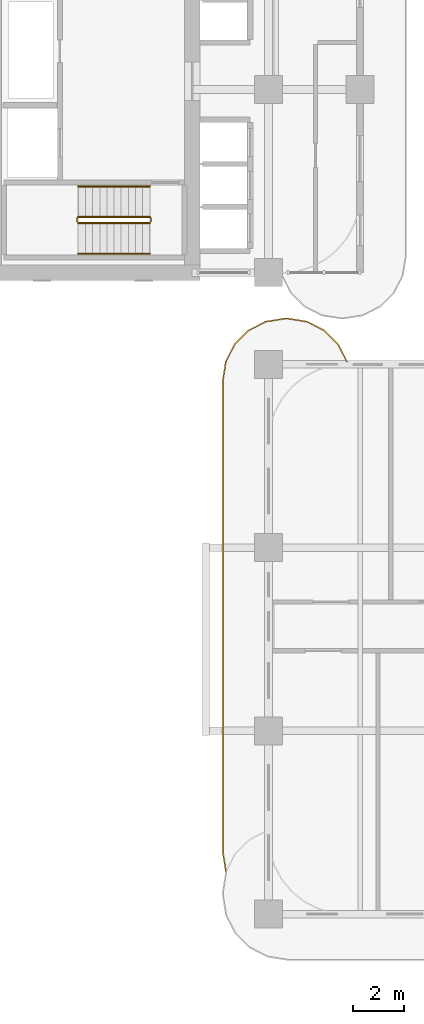
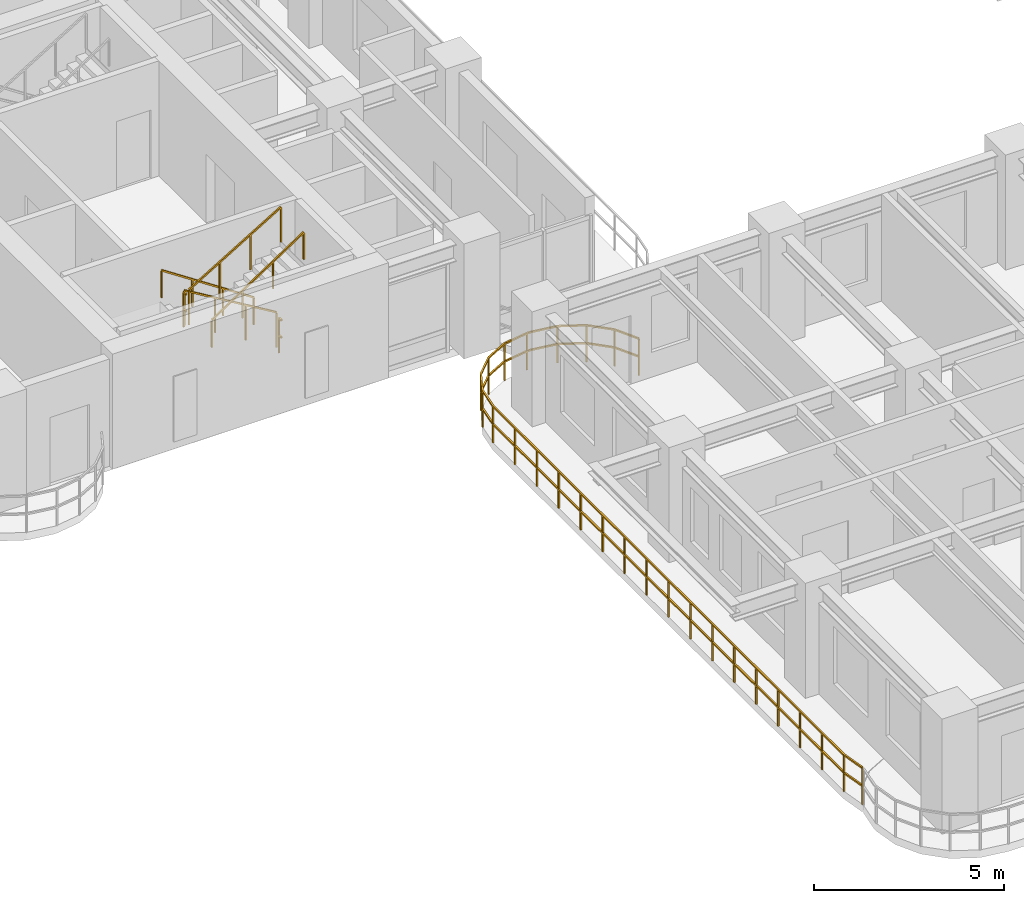
# One storey, part 12 of 18: 7 railings.
"""IFC4 building model written with IfcOpenShell, lengths in metres."""

from ifc_helpers import new_model, si_unit, derived_unit, direction, frame, origin, origin_2d, place, context, subcontext, project, spatial, rectangle, extrude, material, type_object, element, save


model = new_model("IFC4")

# Units and contexts
model_context = context("Model", 3, precision=1e-05, world=origin(), true_north=direction((0.0, 1.0)))
body_context = subcontext(model_context, "Body", "Model", "MODEL_VIEW")
ifc_project = project(units=[si_unit("LENGTHUNIT", "METRE"), si_unit("AREAUNIT", "SQUARE_METRE"), si_unit("VOLUMEUNIT", "CUBIC_METRE"), si_unit("PLANEANGLEUNIT", "RADIAN"), si_unit("MASSUNIT", "GRAM", prefix="KILO"), si_unit("THERMODYNAMICTEMPERATUREUNIT", "KELVIN"), si_unit("POWERUNIT", "WATT"), derived_unit("THERMALTRANSMITTANCEUNIT", [(si_unit("POWERUNIT", "WATT"), 1), (si_unit("AREAUNIT", "SQUARE_METRE"), -1), (si_unit("THERMODYNAMICTEMPERATUREUNIT", "KELVIN"), -1)])], contexts=[model_context])

# Site, building, storey
site_placement = place(None, origin())
site = spatial("IfcSite", under=ifc_project, at=site_placement, CompositionType="ELEMENT")
building_placement = place(site_placement, origin())
building = spatial("IfcBuilding", under=site, at=building_placement, Name="Zahravan Archway Hotel and Residences", CompositionType="ELEMENT")
storey_placement = place(building_placement, frame((0.0, 0.0, 50.89990234375)))
storey = spatial("IfcBuildingStorey", under=building, at=storey_placement, Name="L11", CompositionType="ELEMENT", Elevation=50.89990234375)

# Railings
ifc_material_1 = material(Name="Bronze & Laminated Glass Balustrade", Category="glass")
railing_type_1 = type_object("IfcRailingType", Name="RL-BAL-1200", PredefinedType="BALUSTRADE", material=ifc_material_1)
railing_1_placement = place(storey_placement, frame((12.719970703125, 1.69287109375, 0.0)))
element("IfcRailing", 1, at=railing_1_placement, inside=storey, type_object=railing_type_1, Name="L11 Balustrade RL-SLB-BAL-L11-WA-1", PredefinedType="BALUSTRADE", context=body_context, shape_type="SweptSolid", body=[
    extrude(rectangle(XDim=0.048095703125, YDim=0.048095703125, at=origin_2d()), frame((0.0, 0.0, 1.17578125), z_axis=(-0.156387811283, 0.987695728695, 0.0), x_axis=(-0.987695728695, -0.156387811283, 0.0)), (0.0, 0.0, 1.0), 0.7666015625),
    extrude(rectangle(XDim=0.048095703125, YDim=0.048095703125, at=origin_2d()), frame((0.0, 0.0, 0.60009765625), z_axis=(-0.156387811283, 0.987695728695, 0.0), x_axis=(-0.987695728695, -0.156387811283, 0.0)), (0.0, 0.0, 1.0), 0.7666015625),
    extrude(rectangle(XDim=0.048095703125, YDim=0.048095703125, at=origin_2d()), frame((-0.119873046875, 0.757080078125, 1.17578125), z_axis=(0.0, 1.0, 0.0), x_axis=(-1.0, 0.0, 0.0)), (0.0, 0.0, 1.0), 18.5),
    extrude(rectangle(XDim=0.048095703125, YDim=0.048095703125, at=origin_2d()), frame((-0.119873046875, 0.757080078125, 0.60009765625), z_axis=(0.0, 1.0, 0.0), x_axis=(-1.0, 0.0, 0.0)), (0.0, 0.0, 1.0), 18.5),
    extrude(rectangle(XDim=0.048095703125, YDim=0.048095703125, at=origin_2d()), frame((-0.119873046875, 19.257080078125, 1.17578125), z_axis=(0.156387811283, 0.987695728695, 0.0), x_axis=(-0.987695728695, 0.156387811283, 0.0)), (0.0, 0.0, 1.0), 0.7666015625),
    extrude(rectangle(XDim=0.048095703125, YDim=0.048095703125, at=origin_2d()), frame((-0.119873046875, 19.257080078125, 0.60009765625), z_axis=(0.156387811283, 0.987695728695, 0.0), x_axis=(-0.987695728695, 0.156387811283, 0.0)), (0.0, 0.0, 1.0), 0.7666015625),
    extrude(rectangle(XDim=0.048095703125, YDim=0.048095703125, at=origin_2d()), frame((0.0, 20.01416015625, 1.17578125), z_axis=(0.453825591531, 0.891090529897, 0.0), x_axis=(-0.891090529897, 0.453825591531, 0.0)), (0.0, 0.0, 1.0), 0.7666015625),
    extrude(rectangle(XDim=0.048095703125, YDim=0.048095703125, at=origin_2d()), frame((0.0, 20.01416015625, 0.60009765625), z_axis=(0.453825591531, 0.891090529897, 0.0), x_axis=(-0.891090529897, 0.453825591531, 0.0)), (0.0, 0.0, 1.0), 0.7666015625),
    extrude(rectangle(XDim=0.048095703125, YDim=0.048095703125, at=origin_2d()), frame((0.347900390625, 20.697265625, 1.17578125), z_axis=(0.707106781187, 0.707106781187, 0.0), x_axis=(-0.707106781187, 0.707106781187, 0.0)), (0.0, 0.0, 1.0), 0.7666015625),
    extrude(rectangle(XDim=0.048095703125, YDim=0.048095703125, at=origin_2d()), frame((0.347900390625, 20.697265625, 0.60009765625), z_axis=(0.707106781187, 0.707106781187, 0.0), x_axis=(-0.707106781187, 0.707106781187, 0.0)), (0.0, 0.0, 1.0), 0.7666015625),
    extrude(rectangle(XDim=0.048095703125, YDim=0.048095703125, at=origin_2d()), frame((0.889892578125, 21.2392578125, 1.17578125), z_axis=(0.891090529897, 0.453825591531, 0.0), x_axis=(-0.453825591531, 0.891090529897, 0.0)), (0.0, 0.0, 1.0), 0.7666015625),
    extrude(rectangle(XDim=0.048095703125, YDim=0.048095703125, at=origin_2d()), frame((0.889892578125, 21.2392578125, 0.60009765625), z_axis=(0.891090529897, 0.453825591531, 0.0), x_axis=(-0.453825591531, 0.891090529897, 0.0)), (0.0, 0.0, 1.0), 0.7666015625),
    extrude(rectangle(XDim=0.048095703125, YDim=0.048095703125, at=origin_2d()), frame((1.572998046875, 21.587158203125, 1.17578125), z_axis=(0.987695728695, 0.156387811283, 0.0), x_axis=(-0.156387811283, 0.987695728695, 0.0)), (0.0, 0.0, 1.0), 0.7666015625),
    extrude(rectangle(XDim=0.048095703125, YDim=0.048095703125, at=origin_2d()), frame((1.572998046875, 21.587158203125, 0.60009765625), z_axis=(0.987695728695, 0.156387811283, 0.0), x_axis=(-0.156387811283, 0.987695728695, 0.0)), (0.0, 0.0, 1.0), 0.7666015625),
    extrude(rectangle(XDim=0.048095703125, YDim=0.048095703125, at=origin_2d()), frame((2.330078125, 21.70703125, 1.17578125), z_axis=(1.0, 0.0, 0.0), x_axis=(0.0, 1.0, 0.0)), (0.0, 0.0, 1.0), 0.099853515625),
    extrude(rectangle(XDim=0.048095703125, YDim=0.048095703125, at=origin_2d()), frame((2.330078125, 21.70703125, 0.60009765625), z_axis=(1.0, 0.0, 0.0), x_axis=(0.0, 1.0, 0.0)), (0.0, 0.0, 1.0), 0.099853515625),
    extrude(rectangle(XDim=0.048095703125, YDim=0.048095703125, at=origin_2d()), frame((2.429931640625, 21.70703125, 1.17578125), z_axis=(0.987695728695, -0.156387811283, 0.0), x_axis=(0.156387811283, 0.987695728695, 0.0)), (0.0, 0.0, 1.0), 0.7666015625),
    extrude(rectangle(XDim=0.048095703125, YDim=0.048095703125, at=origin_2d()), frame((2.429931640625, 21.70703125, 0.60009765625), z_axis=(0.987695728695, -0.156387811283, 0.0), x_axis=(0.156387811283, 0.987695728695, 0.0)), (0.0, 0.0, 1.0), 0.7666015625),
    extrude(rectangle(XDim=0.048095703125, YDim=0.048095703125, at=origin_2d()), frame((3.18701171875, 21.587158203125, 1.17578125), z_axis=(0.891090529897, -0.453825591531, 0.0), x_axis=(0.453825591531, 0.891090529897, 0.0)), (0.0, 0.0, 1.0), 0.7666015625),
    extrude(rectangle(XDim=0.048095703125, YDim=0.048095703125, at=origin_2d()), frame((3.18701171875, 21.587158203125, 0.60009765625), z_axis=(0.891090529897, -0.453825591531, 0.0), x_axis=(0.453825591531, 0.891090529897, 0.0)), (0.0, 0.0, 1.0), 0.7666015625),
    extrude(rectangle(XDim=0.048095703125, YDim=0.048095703125, at=origin_2d()), frame((3.8701171875, 21.2392578125, 1.17578125), z_axis=(0.707106781187, -0.707106781187, 0.0), x_axis=(0.707106781187, 0.707106781187, 0.0)), (0.0, 0.0, 1.0), 0.7666015625),
    extrude(rectangle(XDim=0.048095703125, YDim=0.048095703125, at=origin_2d()), frame((3.8701171875, 21.2392578125, 0.60009765625), z_axis=(0.707106781187, -0.707106781187, 0.0), x_axis=(0.707106781187, 0.707106781187, 0.0)), (0.0, 0.0, 1.0), 0.7666015625),
    extrude(rectangle(XDim=0.048095703125, YDim=0.048095703125, at=origin_2d()), frame((4.412109375, 20.697265625, 1.17578125), z_axis=(0.453825591531, -0.891090529897, 0.0), x_axis=(0.891090529897, 0.453825591531, 0.0)), (0.0, 0.0, 1.0), 0.7666015625),
    extrude(rectangle(XDim=0.048095703125, YDim=0.048095703125, at=origin_2d()), frame((4.412109375, 20.697265625, 0.60009765625), z_axis=(0.453825591531, -0.891090529897, 0.0), x_axis=(0.891090529897, 0.453825591531, 0.0)), (0.0, 0.0, 1.0), 0.7666015625),
    extrude(rectangle(XDim=0.0419921875, YDim=0.0419921875, at=origin_2d()), origin(), (0.0, 0.0, 1.0), 1.15185546875),
    extrude(rectangle(XDim=0.0419921875, YDim=0.0419921875, at=origin_2d()), frame((-0.119873046875, 0.757080078125, 0.0)), (0.0, 0.0, 1.0), 1.15185546875),
    extrude(rectangle(XDim=0.0419921875, YDim=0.0419921875, at=origin_2d()), frame((-0.119873046875, 1.913330078125, 0.0)), (0.0, 0.0, 1.0), 1.15185546875),
    extrude(rectangle(XDim=0.0419921875, YDim=0.0419921875, at=origin_2d()), frame((-0.119873046875, 3.069580078125, 0.0)), (0.0, 0.0, 1.0), 1.15185546875),
    extrude(rectangle(XDim=0.0419921875, YDim=0.0419921875, at=origin_2d()), frame((-0.119873046875, 4.225830078125, 0.0)), (0.0, 0.0, 1.0), 1.15185546875),
    extrude(rectangle(XDim=0.0419921875, YDim=0.0419921875, at=origin_2d()), frame((-0.119873046875, 5.382080078125, 0.0)), (0.0, 0.0, 1.0), 1.15185546875),
    extrude(rectangle(XDim=0.0419921875, YDim=0.0419921875, at=origin_2d()), frame((-0.119873046875, 6.538330078125, 0.0)), (0.0, 0.0, 1.0), 1.15185546875),
    extrude(rectangle(XDim=0.0419921875, YDim=0.0419921875, at=origin_2d()), frame((-0.119873046875, 7.694580078125, 0.0)), (0.0, 0.0, 1.0), 1.15185546875),
    extrude(rectangle(XDim=0.0419921875, YDim=0.0419921875, at=origin_2d()), frame((-0.119873046875, 8.850830078125, 0.0)), (0.0, 0.0, 1.0), 1.15185546875),
    extrude(rectangle(XDim=0.0419921875, YDim=0.0419921875, at=origin_2d()), frame((-0.119873046875, 10.007080078125, 0.0)), (0.0, 0.0, 1.0), 1.15185546875),
    extrude(rectangle(XDim=0.0419921875, YDim=0.0419921875, at=origin_2d()), frame((-0.119873046875, 11.163330078125, 0.0)), (0.0, 0.0, 1.0), 1.15185546875),
    extrude(rectangle(XDim=0.0419921875, YDim=0.0419921875, at=origin_2d()), frame((-0.119873046875, 12.319580078125, 0.0)), (0.0, 0.0, 1.0), 1.15185546875),
    extrude(rectangle(XDim=0.0419921875, YDim=0.0419921875, at=origin_2d()), frame((-0.119873046875, 13.475830078125, 0.0)), (0.0, 0.0, 1.0), 1.15185546875),
    extrude(rectangle(XDim=0.0419921875, YDim=0.0419921875, at=origin_2d()), frame((-0.119873046875, 14.632080078125, 0.0)), (0.0, 0.0, 1.0), 1.15185546875),
    extrude(rectangle(XDim=0.0419921875, YDim=0.0419921875, at=origin_2d()), frame((-0.119873046875, 15.788330078125, 0.0)), (0.0, 0.0, 1.0), 1.15185546875),
    extrude(rectangle(XDim=0.0419921875, YDim=0.0419921875, at=origin_2d()), frame((-0.119873046875, 16.944580078125, 0.0)), (0.0, 0.0, 1.0), 1.15185546875),
    extrude(rectangle(XDim=0.0419921875, YDim=0.0419921875, at=origin_2d()), frame((-0.119873046875, 18.100830078125, 0.0)), (0.0, 0.0, 1.0), 1.15185546875),
    extrude(rectangle(XDim=0.0419921875, YDim=0.0419921875, at=origin_2d()), frame((-0.119873046875, 19.257080078125, 0.0)), (0.0, 0.0, 1.0), 1.15185546875),
    extrude(rectangle(XDim=0.0419921875, YDim=0.0419921875, at=origin_2d()), frame((0.0, 20.01416015625, 0.0)), (0.0, 0.0, 1.0), 1.15185546875),
    extrude(rectangle(XDim=0.0419921875, YDim=0.0419921875, at=origin_2d()), frame((0.347900390625, 20.697265625, 0.0)), (0.0, 0.0, 1.0), 1.15185546875),
    extrude(rectangle(XDim=0.0419921875, YDim=0.0419921875, at=origin_2d()), frame((0.889892578125, 21.2392578125, 0.0)), (0.0, 0.0, 1.0), 1.15185546875),
    extrude(rectangle(XDim=0.0419921875, YDim=0.0419921875, at=origin_2d()), frame((1.572998046875, 21.587158203125, 0.0)), (0.0, 0.0, 1.0), 1.15185546875),
    extrude(rectangle(XDim=0.0419921875, YDim=0.0419921875, at=origin_2d()), frame((2.330078125, 21.70703125, 0.0)), (0.0, 0.0, 1.0), 1.15185546875),
    extrude(rectangle(XDim=0.0419921875, YDim=0.0419921875, at=origin_2d()), frame((3.18701171875, 21.587158203125, 0.0)), (0.0, 0.0, 1.0), 1.15185546875),
    extrude(rectangle(XDim=0.0419921875, YDim=0.0419921875, at=origin_2d()), frame((3.8701171875, 21.2392578125, 0.0)), (0.0, 0.0, 1.0), 1.15185546875),
    extrude(rectangle(XDim=0.0419921875, YDim=0.0419921875, at=origin_2d()), frame((4.412109375, 20.697265625, 0.0)), (0.0, 0.0, 1.0), 1.15185546875),
    extrude(rectangle(XDim=0.0419921875, YDim=0.0419921875, at=origin_2d()), frame((4.760009765625, 20.01416015625, 0.0)), (0.0, 0.0, 1.0), 1.15185546875),
])
ifc_material_2 = material(Name="Painted Tubular Steel", Category="steel")
railing_type_2 = type_object("IfcRailingType", Name="RL-STG-1150", PredefinedType="GUARDRAIL", material=ifc_material_2)
railing_2_placement = place(storey_placement, frame((9.72998046875, 27.389892578125, 0.168212890625)))
element("IfcRailing", 2, at=railing_2_placement, inside=storey, type_object=railing_type_2, Name="L11 ST-B1 stair guard 1", PredefinedType="GUARDRAIL", context=body_context, shape_type="SweptSolid", body=[
    extrude(rectangle(XDim=0.048095703125, YDim=0.048095703125, at=origin_2d()), frame((0.0, 0.0, 1.1259765625), z_axis=(-0.857242210791, 0.0, 0.514913383045), x_axis=(0.0, -1.0, 0.0)), (0.0, 0.0, 1.0), 3.266357421875),
    extrude(rectangle(XDim=0.0419921875, YDim=0.0419921875, at=origin_2d()), origin(), (0.0, 0.0, 1.0), 1.101806640625),
    extrude(rectangle(XDim=0.0419921875, YDim=0.0419921875, at=origin_2d()), frame((-0.933349609375, 0.0, 0.560546875)), (0.0, 0.0, 1.0), 1.101806640625),
    extrude(rectangle(XDim=0.0419921875, YDim=0.0419921875, at=origin_2d()), frame((-1.86669921875, 0.0, 1.121337890625)), (0.0, 0.0, 1.0), 1.101806640625),
    extrude(rectangle(XDim=0.0419921875, YDim=0.0419921875, at=origin_2d()), frame((-2.800048828125, 0.0, 1.681884765625)), (0.0, 0.0, 1.0), 1.101806640625),
])
railing_3_placement = place(storey_placement, frame((6.8798828125, 27.340087890625, 1.85009765625)))
element("IfcRailing", 3, at=railing_3_placement, inside=storey, type_object=railing_type_2, Name="L11 ST-B1 stair guard 2", PredefinedType="GUARDRAIL", context=body_context, shape_type="SweptSolid", body=[
    extrude(rectangle(XDim=0.048095703125, YDim=0.048095703125, at=origin_2d()), frame((0.0, 0.0, 1.1259765625), z_axis=(0.0, -1.0, 0.0), x_axis=(1.0, 0.0, 0.0)), (0.0, 0.0, 1.0), 0.14013671875),
    extrude(rectangle(XDim=0.048095703125, YDim=0.048095703125, at=origin_2d()), frame((0.0, 0.0, 0.574951171875), z_axis=(0.0, -1.0, 0.0), x_axis=(1.0, 0.0, 0.0)), (0.0, 0.0, 1.0), 0.14013671875),
    extrude(rectangle(XDim=0.0419921875, YDim=0.0419921875, at=origin_2d()), origin(), (0.0, 0.0, 1.0), 1.101806640625),
])
railing_4_placement = place(storey_placement, frame((6.929931640625, 27.14990234375, 2.018310546875)))
element("IfcRailing", 4, at=railing_4_placement, inside=storey, type_object=railing_type_2, Name="L11 ST-B1 stair guard 3", PredefinedType="GUARDRAIL", context=body_context, shape_type="SweptSolid", body=[
    extrude(rectangle(XDim=0.048095703125, YDim=0.048095703125, at=origin_2d()), frame((0.0, 0.0, 1.1259765625), z_axis=(0.857242210791, 0.0, 0.514913383045), x_axis=(0.0, 1.0, 0.0)), (0.0, 0.0, 1.0), 3.266357421875),
    extrude(rectangle(XDim=0.0419921875, YDim=0.0419921875, at=origin_2d()), origin(), (0.0, 0.0, 1.0), 1.101806640625),
    extrude(rectangle(XDim=0.0419921875, YDim=0.0419921875, at=origin_2d()), frame((0.933349609375, 0.0, 0.560546875)), (0.0, 0.0, 1.0), 1.101806640625),
    extrude(rectangle(XDim=0.0419921875, YDim=0.0419921875, at=origin_2d()), frame((1.86669921875, 0.0, 1.121337890625)), (0.0, 0.0, 1.0), 1.101806640625),
    extrude(rectangle(XDim=0.0419921875, YDim=0.0419921875, at=origin_2d()), frame((2.800048828125, 0.0, 1.681884765625)), (0.0, 0.0, 1.0), 1.101806640625),
])
railing_5_placement = place(storey_placement, frame((9.780029296875, 27.340087890625, 0.0)))
element("IfcRailing", 5, at=railing_5_placement, inside=storey, type_object=railing_type_2, Name="L11 ST-B1 stair guard 4", PredefinedType="GUARDRAIL", context=body_context, shape_type="SweptSolid", body=[
    extrude(rectangle(XDim=0.048095703125, YDim=0.048095703125, at=origin_2d()), frame((0.0, 0.0, 1.1259765625), z_axis=(0.0, -1.0, 0.0), x_axis=(1.0, 0.0, 0.0)), (0.0, 0.0, 1.0), 0.14013671875),
    extrude(rectangle(XDim=0.048095703125, YDim=0.048095703125, at=origin_2d()), frame((0.0, 0.0, 0.574951171875), z_axis=(0.0, -1.0, 0.0), x_axis=(1.0, 0.0, 0.0)), (0.0, 0.0, 1.0), 0.14013671875),
    extrude(rectangle(XDim=0.0419921875, YDim=0.0419921875, at=origin_2d()), origin(), (0.0, 0.0, 1.0), 1.101806640625),
])
ifc_material_3 = material(Name="Brushed Stainless Steel", Category="steel")
railing_type_3 = type_object("IfcRailingType", Name="RL-STH-900", PredefinedType="HANDRAIL", material=ifc_material_3)
railing_6_placement = place(storey_placement, frame((9.72998046875, 28.590087890625, 0.168212890625)))
element("IfcRailing", 6, at=railing_6_placement, inside=storey, type_object=railing_type_3, Name="L11 ST-B1 stair handrail 1", PredefinedType="HANDRAIL", context=body_context, shape_type="SweptSolid", body=[
    extrude(rectangle(XDim=0.048095703125, YDim=0.048095703125, at=origin_2d()), frame((0.0, 0.0, 0.8759765625), z_axis=(-0.834326358476, 0.0, 0.551270829586), x_axis=(0.0, -1.0, 0.0)), (0.0, 0.0, 1.0), 3.35595703125),
    extrude(rectangle(XDim=0.0419921875, YDim=0.0419921875, at=origin_2d()), origin(), (0.0, 0.0, 1.0), 0.851806640625),
    extrude(rectangle(XDim=0.0419921875, YDim=0.0419921875, at=origin_2d()), frame((-0.933349609375, 0.0, 0.61669921875)), (0.0, 0.0, 1.0), 0.851806640625),
    extrude(rectangle(XDim=0.0419921875, YDim=0.0419921875, at=origin_2d()), frame((-1.86669921875, 0.0, 1.2333984375)), (0.0, 0.0, 1.0), 0.851806640625),
    extrude(rectangle(XDim=0.0419921875, YDim=0.0419921875, at=origin_2d()), frame((-2.800048828125, 0.0, 1.85009765625)), (0.0, 0.0, 1.0), 0.851806640625),
])
railing_7_placement = place(storey_placement, frame((6.929931640625, 25.949951171875, 2.018310546875)))
element("IfcRailing", 7, at=railing_7_placement, inside=storey, type_object=railing_type_3, Name="L11 ST-B1 stair handrail 2", PredefinedType="HANDRAIL", context=body_context, shape_type="SweptSolid", body=[
    extrude(rectangle(XDim=0.048095703125, YDim=0.048095703125, at=origin_2d()), frame((0.0, 0.0, 0.8759765625), z_axis=(0.83435981716, 0.0, 0.551220187865), x_axis=(0.0, 1.0, 0.0)), (0.0, 0.0, 1.0), 3.35595703125),
    extrude(rectangle(XDim=0.0419921875, YDim=0.0419921875, at=origin_2d()), origin(), (0.0, 0.0, 1.0), 0.851806640625),
    extrude(rectangle(XDim=0.0419921875, YDim=0.0419921875, at=origin_2d()), frame((0.933349609375, 0.0, 0.61669921875)), (0.0, 0.0, 1.0), 0.851806640625),
    extrude(rectangle(XDim=0.0419921875, YDim=0.0419921875, at=origin_2d()), frame((1.86669921875, 0.0, 1.233154296875)), (0.0, 0.0, 1.0), 0.851806640625),
    extrude(rectangle(XDim=0.0419921875, YDim=0.0419921875, at=origin_2d()), frame((2.800048828125, 0.0, 1.849853515625)), (0.0, 0.0, 1.0), 0.851806640625),
])

save(model, "model.ifc")
